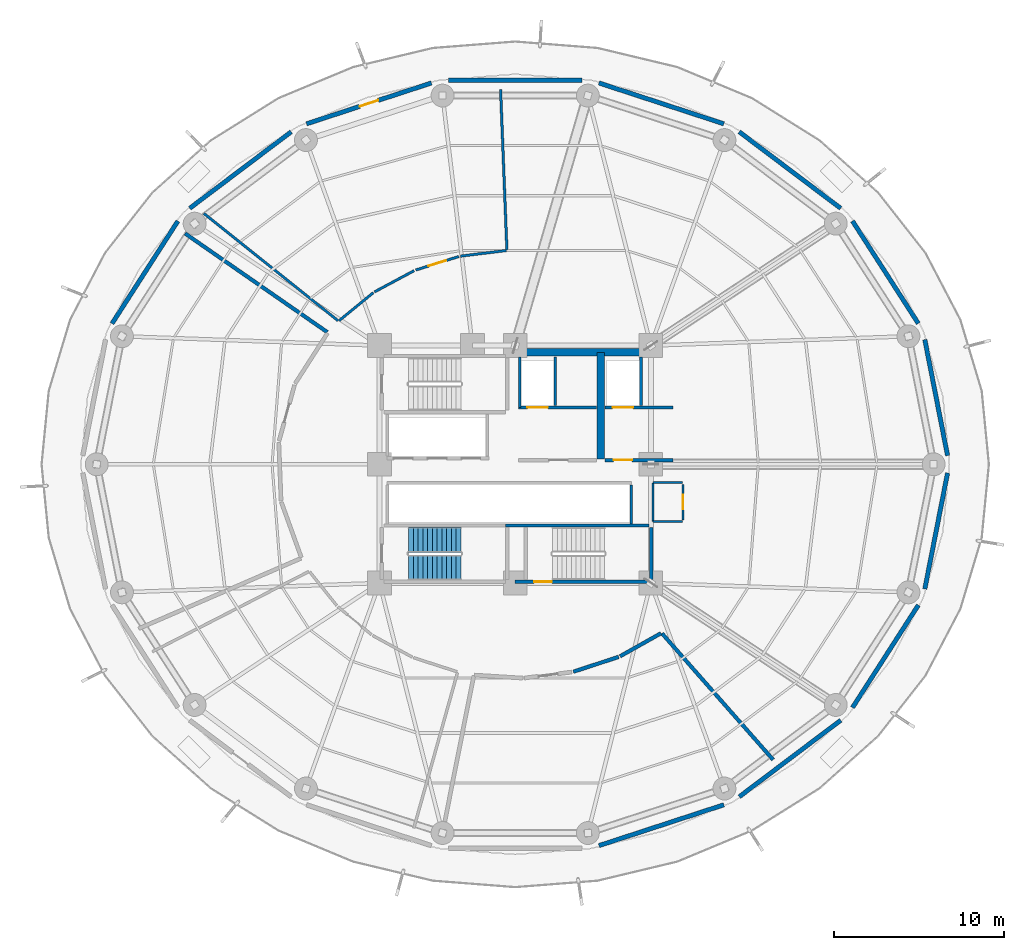
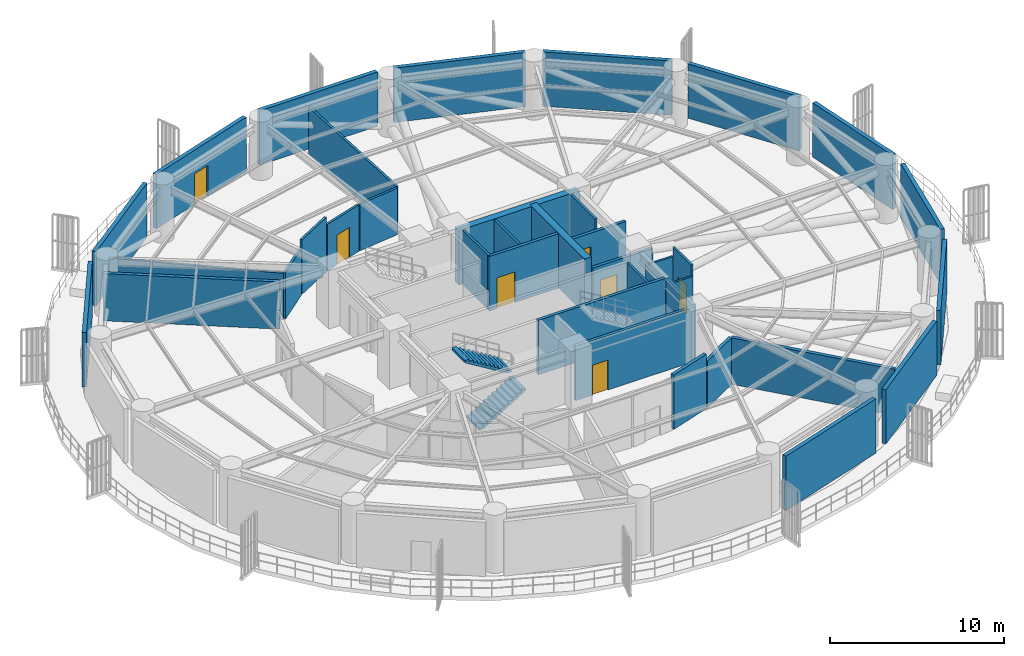
# One storey, part 5 of 10: 38 walls, 7 doors, 2 stair flights, 7 openings, 1 element without a shape of its own.
"""IFC4 building model written with IfcOpenShell, lengths in metres."""

from ifc_helpers import new_model, si_unit, direction, frame, frame_2d, origin, place, context, subcontext, project, spatial, polyline, rectangle, outline, extrude, material, layer, layer_set, type_object, element, fill, aggregate, save


model = new_model("IFC4")

# Units and contexts
model_context = context("Model", 3, precision=1e-05, world=origin(), true_north=direction((0.0, 1.0)))
body_context = subcontext(model_context, "Body", "Model", "MODEL_VIEW")
ifc_project = project(units=[si_unit("LENGTHUNIT", "METRE"), si_unit("AREAUNIT", "SQUARE_METRE"), si_unit("VOLUMEUNIT", "CUBIC_METRE"), si_unit("PLANEANGLEUNIT", "RADIAN"), si_unit("MASSUNIT", "GRAM", prefix="KILO")], contexts=[model_context])

# Site, building, storey
site_placement = place(None, origin())
site = spatial("IfcSite", under=ifc_project, at=site_placement, CompositionType="ELEMENT")
building_placement = place(site_placement, origin())
building = spatial("IfcBuilding", under=site, at=building_placement, Name="Kelanora Arch Commons", CompositionType="ELEMENT")
storey_placement = place(building_placement, frame((0.0, 0.0, 72.260009765625)))
storey = spatial("IfcBuildingStorey", under=building, at=storey_placement, Name="L18", CompositionType="ELEMENT", Elevation=72.260009765625)

# Walls
ifc_material_1 = material(Name="Autoclaved aerated concrete blockwork with fire plaster", Category="masonry")
ifc_layer_1 = layer(ifc_material_1, 0.14990234375)
ifc_layer_set_1 = layer_set([ifc_layer_1], Name="Autoclaved aerated concrete blockwork with fire plaster")
wall_type_1 = type_object("IfcWallType", Name="W-COMP-150", PredefinedType="PARTITIONING", material=ifc_layer_set_1)
wall_1_placement = place(storey_placement, frame((74.280029296875, 61.35009765625, 0.0), z_axis=(0.0, 0.0, 1.0), x_axis=(0.0, 1.0, 0.0)))
element("IfcWall", 1, at=wall_1_placement, inside=storey, type_object=wall_type_1, Name="Firefighting Lift 1 West Shaft Wall L18", PredefinedType="PARTITIONING", context=body_context, shape_type="SweptSolid", body=[
    extrude(rectangle(XDim=2.969970703125, YDim=0.14990234375, at=frame_2d((1.48486328125, 0.0))), origin(), (0.0, 0.0, 1.0), 3.820068359375),
])
for number, where, z_axis, x_axis, name in (
    (2, (76.360107421875, 61.47998046875, 0.0), (0.0, 0.0, 1.0), (0.0, 1.0, 0.0), "Firefighting Lift 1 East Shaft Wall L18"),
    (3, (81.419921875, 61.47998046875, 0.0), (0.0, 0.0, 1.0), (0.0, 1.0, 0.0), "Firefighting Lift 2 East Shaft Wall L18"),
):
    element("IfcWall", number, at=place(storey_placement, frame(where, z_axis=z_axis, x_axis=x_axis)), inside=storey, type_object=wall_type_1, Name=name, PredefinedType="PARTITIONING", context=body_context, shape_type="SweptSolid", body=[
        extrude(rectangle(XDim=2.840087890625, YDim=0.14990234375, at=frame_2d((1.419921875, 0.0))), origin(), (0.0, 0.0, 1.0), 3.820068359375),
    ])
wall_2_placement = place(storey_placement, frame((80.840087890625, 54.47998046875, 0.0), z_axis=(0.0, 0.0, 1.0), x_axis=(0.0, 1.0, 0.0)))
element("IfcWall", 4, at=wall_2_placement, inside=storey, type_object=wall_type_1, Name="South Lift Bank East Wall L18", PredefinedType="PARTITIONING", context=body_context, shape_type="SweptSolid", body=[
    extrude(rectangle(XDim=2.2900390625, YDim=0.14990234375, at=frame_2d((1.14501953125, 0.0))), origin(), (0.0, 0.0, 1.0), 3.820068359375),
])

# Wall, opening, door
wall_3_placement = place(storey_placement, frame((70.669921875, 70.2529296875, 0.0), z_axis=(0.0, 0.0, 1.0), x_axis=(-0.954072441826, -0.299575993278, 0.0)))
wall_3 = element("IfcWall", 5, at=wall_3_placement, inside=storey, type_object=wall_type_1, Name="Dedicated Outdoor Air and Enthalpy Wheel Plant L18 Entry Partition", PredefinedType="PARTITIONING", context=body_context, shape_type="SweptSolid", body=[
    extrude(rectangle(XDim=2.659912109375, YDim=0.14990234375, at=frame_2d((1.330078125, 0.0))), origin(), (0.0, 0.0, 1.0), 3.264892578125),
])
opening_1_placement = place(wall_3_placement, frame((0.7900390625, 0.0, 0.0)))
opening_1 = element("IfcOpeningElement", 6, at=opening_1_placement, cuts=wall_3, Name="Opening D-PLT1", PredefinedType="OPENING", context=body_context, shape_type="SweptSolid", body=[
    extrude(rectangle(XDim=1.080078125, YDim=2.10009765625, at=frame_2d((0.5400390625, 1.050048828125))), frame((0.0, 0.0849609375, 0.0), z_axis=(0.0, -1.0, 0.0), x_axis=(1.0, 0.0, 0.0)), (0.0, 0.0, 1.0), 0.169921875),
])
ifc_material_2 = material(Name="Galvanised steel plant and riser fire door", Category="steel")
door_type_1 = type_object("IfcDoorType", Name="D-PLT-110", OperationType="NOTDEFINED", PredefinedType="DOOR", material=ifc_material_2)
door_1_placement = place(opening_1_placement, origin())
door_1 = element("IfcDoor", 7, at=door_1_placement, inside=storey, type_object=door_type_1, Name="Dedicated Outdoor Air and Enthalpy Wheel Plant L18 Door", OperationType="SINGLE_SWING_RIGHT", OverallHeight=2.10009765625, OverallWidth=1.080078125, PredefinedType="DOOR", context=body_context, shape_type="SweptSolid", body=[
    extrude(rectangle(XDim=1.080078125, YDim=2.10009765625, at=frame_2d((0.5400390625, 1.050048828125))), frame((0.0, 0.02490234375, 0.0), z_axis=(0.0, -1.0, 0.0), x_axis=(1.0, 0.0, 0.0)), (0.0, 0.0, 1.0), 0.050048828125),
])
fill(opening_1, door_1)

# Walls
wall_4_placement = place(storey_placement, frame((73.47119140625, 70.607177734375, 0.0), z_axis=(0.0, 0.0, 1.0), x_axis=(-0.99258087274, -0.12158622895, 0.0)))
element("IfcWall", 8, at=wall_4_placement, inside=storey, type_object=wall_type_1, Name="Dedicated Outdoor Air and Enthalpy Wheel Plant L18 Enclosure Partition 1", PredefinedType="PARTITIONING", context=body_context, shape_type="SweptSolid", body=[
    extrude(rectangle(XDim=2.724853515625, YDim=0.14990234375, at=frame_2d((1.3623046875, 0.0))), origin(), (0.0, 0.0, 1.0), 3.264892578125),
])
wall_5_placement = place(storey_placement, frame((68.039794921875, 69.419189453125, 0.0), z_axis=(0.0, 0.0, 1.0), x_axis=(-0.881492256426, -0.47219847719, 0.0)))
element("IfcWall", 9, at=wall_5_placement, inside=storey, type_object=wall_type_1, Name="Dedicated Outdoor Air and Enthalpy Wheel Plant L18 Enclosure Partition 3", PredefinedType="PARTITIONING", context=body_context, shape_type="SweptSolid", body=[
    extrude(rectangle(XDim=2.658447265625, YDim=0.14990234375, at=frame_2d((1.3291015625, 0.0))), origin(), (0.0, 0.0, 1.0), 3.820068359375),
])
wall_6_placement = place(storey_placement, frame((65.6298828125, 68.11962890625, 0.0), z_axis=(0.0, 0.0, 1.0), x_axis=(-0.774061607798, -0.633110280546, 0.0)))
element("IfcWall", 10, at=wall_6_placement, inside=storey, type_object=wall_type_1, Name="Dedicated Outdoor Air and Enthalpy Wheel Plant L18 Enclosure Partition 4", PredefinedType="PARTITIONING", context=body_context, shape_type="SweptSolid", body=[
    extrude(rectangle(XDim=2.606689453125, YDim=0.14990234375, at=frame_2d((1.30322265625, 0.0))), origin(), (0.0, 0.0, 1.0), 3.264892578125),
])
wall_7_placement = place(storey_placement, frame((63.5498046875, 66.468994140625, 0.0), z_axis=(0.0, 0.0, 1.0), x_axis=(-0.780984005832, 0.624551024845, 0.0)))
element("IfcWall", 11, at=wall_7_placement, inside=storey, type_object=wall_type_1, Name="Dedicated Outdoor Air and Enthalpy Wheel Plant L18 Enclosure Partition 5", PredefinedType="PARTITIONING", context=body_context, shape_type="SweptSolid", body=[
    extrude(rectangle(XDim=10.13037109375, YDim=0.14990234375, at=frame_2d((5.065185546875, 0.0))), origin(), (0.0, 0.0, 1.0), 3.264892578125),
])
wall_8_placement = place(storey_placement, frame((73.1376953125, 80.096923828125, 0.0), z_axis=(0.0, 0.0, 1.0), x_axis=(0.039337774714, -0.999225970179, 0.0)))
element("IfcWall", 12, at=wall_8_placement, inside=storey, type_object=wall_type_1, Name="Dedicated Outdoor Air and Enthalpy Wheel Plant L18 Enclosure Partition 10", PredefinedType="PARTITIONING", context=body_context, shape_type="SweptSolid", body=[
    extrude(rectangle(XDim=9.4521484375, YDim=0.14990234375, at=frame_2d((4.72607421875, 0.0))), origin(), (0.0, 0.0, 1.0), 3.31494140625),
])
ifc_material_3 = material(Name="Concrete C60/75", Category="concrete")
ifc_layer_2 = layer(ifc_material_3, 0.449951171875)
ifc_layer_set_2 = layer_set([ifc_layer_2], Name="Concrete C60/75")
wall_type_2 = type_object("IfcWallType", Name="W-CORE-450", PredefinedType="SHEAR", material=ifc_layer_set_2)
wall_9_placement = place(storey_placement, frame((74.0, 64.60009765625, 0.0), z_axis=(0.0, 0.0, 1.0), x_axis=(1.0, 0.0, 0.0)))
element("IfcWall", 13, at=wall_9_placement, inside=storey, type_object=wall_type_2, Name="Core Shear Spine L18-CN-E", PredefinedType="SHEAR", context=body_context, shape_type="SweptSolid", body=[
    extrude(rectangle(XDim=8.0, YDim=0.449951171875, at=frame_2d((4.0, 0.0))), origin(), (0.0, 0.0, 1.0), 3.830078125),
])
wall_10_placement = place(storey_placement, frame((79.050048828125, 58.300048828125, 0.0), z_axis=(0.0, 0.0, 1.0), x_axis=(0.0, 1.0, 0.0)))
element("IfcWall", 14, at=wall_10_placement, inside=storey, type_object=wall_type_2, Name="Core Shear Spine L18-CE-N", PredefinedType="SHEAR", context=body_context, shape_type="SweptSolid", body=[
    extrude(rectangle(XDim=6.300048828125, YDim=0.449951171875, at=frame_2d((3.14990234375, 0.0))), origin(), (0.0, 0.0, 1.0), 3.830078125),
])
ifc_material_4 = material(Name="Precast concrete C40/50 with terracotta rainscreen", Category="masonry")
ifc_layer_3 = layer(ifc_material_4, 0.260009765625)
ifc_layer_set_3 = layer_set([ifc_layer_3], Name="Precast concrete C40/50 with terracotta rainscreen")
wall_type_3 = type_object("IfcWallType", Name="W-EXT-TC", PredefinedType="SOLIDWALL", material=ifc_layer_set_3)
wall_11_placement = place(storey_placement, frame((99.5, 58.51025390625, 0.0), z_axis=(0.0, 0.0, 1.0), x_axis=(-0.192608720108, 0.981275639634, 0.0)))
element("IfcWall", 15, at=wall_11_placement, inside=storey, type_object=wall_type_3, Name="Mechanical Louvre Precast Backing Wall L18-01", PredefinedType="SOLIDWALL", context=body_context, shape_type="SweptSolid", body=[
    extrude(rectangle(XDim=6.9765625, YDim=0.260009765625, at=frame_2d((3.48828125, 0.0))), origin(), (0.0, 0.0, 1.0), 3.81494140625),
])
wall_12_placement = place(storey_placement, frame((97.77490234375, 66.303955078125, 0.0), z_axis=(0.0, 0.0, 1.0), x_axis=(-0.540604690505, 0.841276749116, 0.0)))
element("IfcWall", 16, at=wall_12_placement, inside=storey, type_object=wall_type_3, Name="Mechanical Louvre Precast Backing Wall L18-02", PredefinedType="SOLIDWALL", context=body_context, shape_type="SweptSolid", body=[
    extrude(rectangle(XDim=7.182861328125, YDim=0.260009765625, at=frame_2d((3.59130859375, 0.0))), origin(), (0.0, 0.0, 1.0), 3.81494140625),
])
wall_13_placement = place(storey_placement, frame((93.195556640625, 73.09716796875, 0.0), z_axis=(0.0, 0.0, 1.0), x_axis=(-0.798511093866, 0.601980093502, 0.0)))
element("IfcWall", 17, at=wall_13_placement, inside=storey, type_object=wall_type_3, Name="Mechanical Louvre Precast Backing Wall L18-03", PredefinedType="SOLIDWALL", context=body_context, shape_type="SweptSolid", body=[
    extrude(rectangle(XDim=7.489501953125, YDim=0.260009765625, at=frame_2d((3.74462890625, 0.0))), origin(), (0.0, 0.0, 1.0), 3.81494140625),
])
wall_14_placement = place(storey_placement, frame((86.305908203125, 78.080078125, 0.0), z_axis=(0.0, 0.0, 1.0), x_axis=(-0.950466692879, 0.310826423792, 0.0)))
element("IfcWall", 18, at=wall_14_placement, inside=storey, type_object=wall_type_3, Name="Mechanical Louvre Precast Backing Wall L18-04", PredefinedType="SOLIDWALL", context=body_context, shape_type="SweptSolid", body=[
    extrude(rectangle(XDim=7.75, YDim=0.260009765625, at=frame_2d((3.875, 0.0))), origin(), (0.0, 0.0, 1.0), 3.81494140625),
])
wall_15_placement = place(storey_placement, frame((77.92529296875, 80.650634765625, 0.0), z_axis=(0.0, 0.0, 1.0), x_axis=(-1.0, 0.0, 0.0)))
element("IfcWall", 19, at=wall_15_placement, inside=storey, type_object=wall_type_3, Name="Mechanical Louvre Precast Backing Wall L18-05", PredefinedType="SOLIDWALL", context=body_context, shape_type="SweptSolid", body=[
    extrude(rectangle(XDim=7.8505859375, YDim=0.260009765625, at=frame_2d((3.92529296875, 0.0))), origin(), (0.0, 0.0, 1.0), 3.81494140625),
])

# Wall, opening, door
wall_16_placement = place(storey_placement, frame((69.060302734375, 80.489013671875, 0.0), z_axis=(0.0, 0.0, 1.0), x_axis=(-0.950466692879, -0.310826423792, 0.0)))
wall_16 = element("IfcWall", 20, at=wall_16_placement, inside=storey, type_object=wall_type_3, Name="Mechanical Louvre Precast Backing Wall L18-06", PredefinedType="SOLIDWALL", context=body_context, shape_type="SweptSolid", body=[
    extrude(rectangle(XDim=7.75, YDim=0.260009765625, at=frame_2d((3.875, 0.0))), origin(), (0.0, 0.0, 1.0), 3.81494140625),
])
opening_2_placement = place(wall_16_placement, frame((3.300048828125, 0.0, 0.0)))
opening_2 = element("IfcOpeningElement", 21, at=opening_2_placement, cuts=wall_16, Name="Opening DT-01", PredefinedType="OPENING", context=body_context, shape_type="SweptSolid", body=[
    extrude(rectangle(XDim=1.14990234375, YDim=2.14990234375, at=frame_2d((0.574951171875, 1.074951171875))), frame((0.0, 0.14013671875, 0.0), z_axis=(0.0, -1.0, 0.0), x_axis=(1.0, 0.0, 0.0)), (0.0, 0.0, 1.0), 0.280029296875),
])
ifc_material_5 = material(Name="Weather-sealed aluminium terrace door", Category="aluminium")
door_type_2 = type_object("IfcDoorType", Name="D-TERR-12", OperationType="NOTDEFINED", PredefinedType="DOOR", material=ifc_material_5)
door_2_placement = place(opening_2_placement, frame((1.14990234375, 0.0, 0.0), z_axis=(0.0, 0.0, 1.0), x_axis=(-1.0, 0.0, 0.0)))
door_2 = element("IfcDoor", 22, at=door_2_placement, inside=storey, type_object=door_type_2, Name="Setback Terrace Maintenance Door L18-05", OperationType="SINGLE_SWING_LEFT", OverallHeight=2.14990234375, OverallWidth=1.14990234375, PredefinedType="DOOR", context=body_context, shape_type="SweptSolid", body=[
    extrude(rectangle(XDim=1.14990234375, YDim=2.14990234375, at=frame_2d((0.574951171875, 1.074951171875))), frame((0.0, 0.02490234375, 0.0), z_axis=(0.0, -1.0, 0.0), x_axis=(1.0, 0.0, 0.0)), (0.0, 0.0, 1.0), 0.050048828125),
])
fill(opening_2, door_2)

# Walls
wall_17_placement = place(storey_placement, frame((60.784912109375, 77.605712890625, 0.0), z_axis=(0.0, 0.0, 1.0), x_axis=(-0.798511093866, -0.601980093502, 0.0)))
element("IfcWall", 23, at=wall_17_placement, inside=storey, type_object=wall_type_3, Name="Mechanical Louvre Precast Backing Wall L18-07", PredefinedType="SOLIDWALL", context=body_context, shape_type="SweptSolid", body=[
    extrude(rectangle(XDim=7.489501953125, YDim=0.260009765625, at=frame_2d((3.74462890625, 0.0))), origin(), (0.0, 0.0, 1.0), 3.81494140625),
])
wall_18_placement = place(storey_placement, frame((54.108154296875, 72.3466796875, 0.0), z_axis=(0.0, 0.0, 1.0), x_axis=(-0.540604690505, -0.841276749116, 0.0)))
element("IfcWall", 24, at=wall_18_placement, inside=storey, type_object=wall_type_3, Name="Mechanical Louvre Precast Backing Wall L18-08", PredefinedType="SOLIDWALL", context=body_context, shape_type="SweptSolid", body=[
    extrude(rectangle(XDim=7.182861328125, YDim=0.260009765625, at=frame_2d((3.59130859375, 0.0))), origin(), (0.0, 0.0, 1.0), 3.81494140625),
])
wall_19_placement = place(storey_placement, frame((78.939697265625, 35.510986328125, 0.0), z_axis=(0.0, 0.0, 1.0), x_axis=(0.950466692879, 0.310826423792, 0.0)))
element("IfcWall", 25, at=wall_19_placement, inside=storey, type_object=wall_type_3, Name="Mechanical Louvre Precast Backing Wall L18-15", PredefinedType="SOLIDWALL", context=body_context, shape_type="SweptSolid", body=[
    extrude(rectangle(XDim=7.75, YDim=0.260009765625, at=frame_2d((3.875, 0.0))), origin(), (0.0, 0.0, 1.0), 3.81494140625),
])
wall_20_placement = place(storey_placement, frame((87.215087890625, 38.394287109375, 0.0), z_axis=(0.0, 0.0, 1.0), x_axis=(0.798511093866, 0.601980093502, 0.0)))
element("IfcWall", 26, at=wall_20_placement, inside=storey, type_object=wall_type_3, Name="Mechanical Louvre Precast Backing Wall L18-16", PredefinedType="SOLIDWALL", context=body_context, shape_type="SweptSolid", body=[
    extrude(rectangle(XDim=7.489501953125, YDim=0.260009765625, at=frame_2d((3.74462890625, 0.0))), origin(), (0.0, 0.0, 1.0), 3.81494140625),
])
wall_21_placement = place(storey_placement, frame((93.891845703125, 43.6533203125, 0.0), z_axis=(0.0, 0.0, 1.0), x_axis=(0.540604690505, 0.841276749116, 0.0)))
element("IfcWall", 27, at=wall_21_placement, inside=storey, type_object=wall_type_3, Name="Mechanical Louvre Precast Backing Wall L18-17", PredefinedType="SOLIDWALL", context=body_context, shape_type="SweptSolid", body=[
    extrude(rectangle(XDim=7.182861328125, YDim=0.260009765625, at=frame_2d((3.59130859375, 0.0))), origin(), (0.0, 0.0, 1.0), 3.81494140625),
])
wall_22_placement = place(storey_placement, frame((98.15625, 50.643798828125, 0.0), z_axis=(0.0, 0.0, 1.0), x_axis=(0.192608720108, 0.981275639634, 0.0)))
element("IfcWall", 28, at=wall_22_placement, inside=storey, type_object=wall_type_3, Name="Mechanical Louvre Precast Backing Wall L18-18", PredefinedType="SOLIDWALL", context=body_context, shape_type="SweptSolid", body=[
    extrude(rectangle(XDim=6.9765625, YDim=0.260009765625, at=frame_2d((3.48828125, 0.0))), origin(), (0.0, 0.0, 1.0), 3.81494140625),
])

# Wall, opening, door
ifc_material_6 = material(Name="Concrete C40/50", Category="concrete")
ifc_layer_4 = layer(ifc_material_6, 0.199951171875)
ifc_layer_set_4 = layer_set([ifc_layer_4], Name="Concrete C40/50")
wall_type_4 = type_object("IfcWallType", Name="W-FFL-200", PredefinedType="SOLIDWALL", material=ifc_layer_set_4)
wall_23_placement = place(storey_placement, frame((74.199951171875, 61.35009765625, 0.0), z_axis=(0.0, 0.0, 1.0), x_axis=(1.0, 0.0, 0.0)))
wall_23 = element("IfcWall", 29, at=wall_23_placement, inside=storey, type_object=wall_type_4, Name="Firefighting Lift 1 Shaft Front L18", PredefinedType="SOLIDWALL", context=body_context, shape_type="SweptSolid", body=[
    extrude(rectangle(XDim=4.60009765625, YDim=0.199951171875, at=frame_2d((2.300048828125, 0.0))), origin(), (0.0, 0.0, 1.0), 3.820068359375),
])
opening_3_placement = place(wall_23_placement, frame((0.52001953125, 0.0, 0.0)))
opening_3 = element("IfcOpeningElement", 30, at=opening_3_placement, cuts=wall_23, Name="Opening LD-FF", PredefinedType="OPENING", context=body_context, shape_type="SweptSolid", body=[
    extrude(rectangle(XDim=1.199951171875, YDim=2.14990234375, at=frame_2d((0.60009765625, 1.074951171875))), frame((0.0, 0.10986328125, 0.0), z_axis=(0.0, -1.0, 0.0), x_axis=(1.0, 0.0, 0.0)), (0.0, 0.0, 1.0), 0.219970703125),
])
ifc_material_7 = material(Name="Fire-rated firefighters lift sliding landing door")
door_type_3 = type_object("IfcDoorType", Name="D-LIFT-FF", OperationType="NOTDEFINED", PredefinedType="DOOR", material=ifc_material_7)
door_3_placement = place(opening_3_placement, origin())
door_3 = element("IfcDoor", 31, at=door_3_placement, inside=storey, type_object=door_type_3, Name="Firefighting Lift LF-FF1 Landing Door L18", OperationType="DOUBLE_DOOR_SLIDING", OverallHeight=2.14990234375, OverallWidth=1.199951171875, PredefinedType="DOOR", context=body_context, shape_type="SweptSolid", body=[
    extrude(rectangle(XDim=1.199951171875, YDim=2.14990234375, at=frame_2d((0.60009765625, 1.074951171875))), frame((0.0, 0.02490234375, 0.0), z_axis=(0.0, -1.0, 0.0), x_axis=(1.0, 0.0, 0.0)), (0.0, 0.0, 1.0), 0.050048828125),
])
fill(opening_3, door_3)

wall_24_placement = place(storey_placement, frame((79.300048828125, 61.35009765625, 0.0), z_axis=(0.0, 0.0, 1.0), x_axis=(1.0, 0.0, 0.0)))
wall_24 = element("IfcWall", 32, at=wall_24_placement, inside=storey, type_object=wall_type_4, Name="Firefighting Lift 2 Shaft Front L18", PredefinedType="SOLIDWALL", context=body_context, shape_type="SweptSolid", body=[
    extrude(rectangle(XDim=4.0, YDim=0.199951171875, at=frame_2d((2.0, 0.0))), origin(), (0.0, 0.0, 1.0), 3.114990234375),
])
opening_4_placement = place(wall_24_placement, frame((0.449951171875, 0.0, 0.0)))
opening_4 = element("IfcOpeningElement", 33, at=opening_4_placement, cuts=wall_24, Name="Opening LD-FF", PredefinedType="OPENING", context=body_context, shape_type="SweptSolid", body=[
    extrude(rectangle(XDim=1.199951171875, YDim=2.14990234375, at=frame_2d((0.60009765625, 1.074951171875))), frame((0.0, 0.10986328125, 0.0), z_axis=(0.0, -1.0, 0.0), x_axis=(1.0, 0.0, 0.0)), (0.0, 0.0, 1.0), 0.219970703125),
])
door_4_placement = place(opening_4_placement, origin())
door_4 = element("IfcDoor", 34, at=door_4_placement, inside=storey, type_object=door_type_3, Name="Firefighting Lift LF-FF2 Landing Door L18", OperationType="DOUBLE_DOOR_SLIDING", OverallHeight=2.14990234375, OverallWidth=1.199951171875, PredefinedType="DOOR", context=body_context, shape_type="SweptSolid", body=[
    extrude(rectangle(XDim=1.199951171875, YDim=2.14990234375, at=frame_2d((0.60009765625, 1.074951171875))), frame((0.0, 0.02490234375, 0.0), z_axis=(0.0, -1.0, 0.0), x_axis=(1.0, 0.0, 0.0)), (0.0, 0.0, 1.0), 0.050048828125),
])
fill(opening_4, door_4)

wall_25_placement = place(storey_placement, frame((79.300048828125, 58.25, 0.0), z_axis=(0.0, 0.0, 1.0), x_axis=(1.0, 0.0, 0.0)))
wall_25 = element("IfcWall", 35, at=wall_25_placement, inside=storey, type_object=wall_type_4, Name="Firefighting Lobby 2 Enclosure Wall L18", PredefinedType="SOLIDWALL", context=body_context, shape_type="SweptSolid", body=[
    extrude(rectangle(XDim=4.0, YDim=0.199951171875, at=frame_2d((2.0, 0.0))), origin(), (0.0, 0.0, 1.0), 3.114990234375),
])
opening_5_placement = place(wall_25_placement, frame((0.5, 0.0, 0.0)))
opening_5 = element("IfcOpeningElement", 36, at=opening_5_placement, cuts=wall_25, Name="Opening D-FFL1", PredefinedType="OPENING", context=body_context, shape_type="SweptSolid", body=[
    extrude(rectangle(XDim=1.10009765625, YDim=2.10009765625, at=frame_2d((0.550048828125, 1.050048828125))), frame((0.0, 0.10986328125, 0.0), z_axis=(0.0, -1.0, 0.0), x_axis=(1.0, 0.0, 0.0)), (0.0, 0.0, 1.0), 0.219970703125),
])
ifc_material_8 = material(Name="Smoke-sealed firefighting lobby fire door")
door_type_4 = type_object("IfcDoorType", Name="D-FFL-110", OperationType="NOTDEFINED", PredefinedType="DOOR", material=ifc_material_8)
door_5_placement = place(opening_5_placement, frame((1.10009765625, 0.0, 0.0), z_axis=(0.0, 0.0, 1.0), x_axis=(-1.0, 0.0, 0.0)))
door_5 = element("IfcDoor", 37, at=door_5_placement, inside=storey, type_object=door_type_4, Name="Firefighting Lobby 2 Door L18", OperationType="SINGLE_SWING_RIGHT", OverallHeight=2.10009765625, OverallWidth=1.10009765625, PredefinedType="DOOR", context=body_context, shape_type="SweptSolid", body=[
    extrude(rectangle(XDim=1.10009765625, YDim=2.10009765625, at=frame_2d((0.550048828125, 1.050048828125))), frame((0.0, 0.02490234375, 0.0), z_axis=(0.0, -1.0, 0.0), x_axis=(1.0, 0.0, 0.0)), (0.0, 0.0, 1.0), 0.050048828125),
])
fill(opening_5, door_5)

# Walls
ifc_layer_5 = layer(ifc_material_6, 0.219970703125)
ifc_layer_set_5 = layer_set([ifc_layer_5], Name="Concrete C40/50")
wall_type_5 = type_object("IfcWallType", Name="W-REF-200", PredefinedType="SOLIDWALL", material=ifc_layer_set_5)
wall_26_placement = place(storey_placement, frame((54.52978515625, 71.6142578125, 0.0), z_axis=(0.0, 0.0, 1.0), x_axis=(0.821573715698, -0.570102297553, 0.0)))
element("IfcWall", 38, at=wall_26_placement, inside=storey, type_object=wall_type_5, Name="Protected Fire Refuge Holding Area L18-West Enclosure Partition 10", PredefinedType="SOLIDWALL", context=body_context, shape_type="SweptSolid", body=[
    extrude(rectangle(XDim=10.21142578125, YDim=0.219970703125, at=frame_2d((5.105712890625, 0.0))), origin(), (0.0, 0.0, 1.0), 3.31494140625),
])
wall_27_placement = place(storey_placement, frame((77.429931640625, 45.767578125, 0.0), z_axis=(0.0, 0.0, 1.0), x_axis=(0.950342166159, 0.311206952397, 0.0)))
element("IfcWall", 39, at=wall_27_placement, inside=storey, type_object=wall_type_5, Name="Protected Fire Refuge Holding Area L18-South Enclosure Partition 3", PredefinedType="SOLIDWALL", context=body_context, shape_type="SweptSolid", body=[
    extrude(rectangle(XDim=2.81787109375, YDim=0.219970703125, at=frame_2d((1.408935546875, 0.0))), origin(), (0.0, 0.0, 1.0), 3.820068359375),
])
wall_28_placement = place(storey_placement, frame((80.180908203125, 46.676513671875, 0.0), z_axis=(0.0, 0.0, 1.0), x_axis=(0.87161551792, 0.49019015588, 0.0)))
element("IfcWall", 40, at=wall_28_placement, inside=storey, type_object=wall_type_5, Name="Protected Fire Refuge Holding Area L18-South Enclosure Partition 4", PredefinedType="SOLIDWALL", context=body_context, shape_type="SweptSolid", body=[
    extrude(rectangle(XDim=2.772216796875, YDim=0.219970703125, at=frame_2d((1.38623046875, 0.0))), origin(), (0.0, 0.0, 1.0), 3.264892578125),
])
wall_29_placement = place(storey_placement, frame((82.658447265625, 48.02490234375, 0.0), z_axis=(0.0, 0.0, 1.0), x_axis=(0.660521380373, -0.750807236293, 0.0)))
element("IfcWall", 41, at=wall_29_placement, inside=storey, type_object=wall_type_5, Name="Protected Fire Refuge Holding Area L18-South Enclosure Partition 5", PredefinedType="SOLIDWALL", context=body_context, shape_type="SweptSolid", body=[
    extrude(rectangle(XDim=9.92138671875, YDim=0.219970703125, at=frame_2d((4.960693359375, 0.0))), origin(), (0.0, 0.0, 1.0), 3.264892578125),
])

# Wall, opening, door
ifc_layer_6 = layer(ifc_material_6, 0.199951171875)
ifc_layer_set_6 = layer_set([ifc_layer_6], Name="Concrete C40/50")
wall_type_6 = type_object("IfcWallType", Name="W-STAIR-200", PredefinedType="SHEAR", material=ifc_layer_set_6)
wall_30_placement = place(storey_placement, frame((74.0, 51.080078125, 0.0), z_axis=(0.0, 0.0, 1.0), x_axis=(1.0, 0.0, 0.0)))
wall_30 = element("IfcWall", 42, at=wall_30_placement, inside=storey, type_object=wall_type_6, Name="Stair ST-T2 Shaft Wall S L18", PredefinedType="SHEAR", context=body_context, shape_type="SweptSolid", body=[
    extrude(rectangle(XDim=7.89990234375, YDim=0.199951171875, at=frame_2d((3.949951171875, 0.0))), origin(), (0.0, 0.0, 1.0), 3.830078125),
])
opening_6_placement = place(wall_30_placement, frame((1.1201171875, 0.0, 0.0)))
opening_6 = element("IfcOpeningElement", 43, at=opening_6_placement, cuts=wall_30, Name="Opening D-ST1", PredefinedType="OPENING", context=body_context, shape_type="SweptSolid", body=[
    extrude(rectangle(XDim=1.050048828125, YDim=2.10009765625, at=frame_2d((0.52490234375, 1.050048828125))), frame((0.0, 0.10986328125, 0.0), z_axis=(0.0, -1.0, 0.0), x_axis=(1.0, 0.0, 0.0)), (0.0, 0.0, 1.0), 0.219970703125),
])
ifc_material_9 = material(Name="Steel fire-rated stairwell escape door", Category="steel")
door_type_5 = type_object("IfcDoorType", Name="D-STAIR-110", OperationType="NOTDEFINED", PredefinedType="DOOR", material=ifc_material_9)
door_6_placement = place(opening_6_placement, origin())
door_6 = element("IfcDoor", 44, at=door_6_placement, inside=storey, type_object=door_type_5, Name="Stair ST-T2 Escape Door L18", OperationType="SINGLE_SWING_LEFT", OverallHeight=2.10009765625, OverallWidth=1.050048828125, PredefinedType="DOOR", context=body_context, shape_type="SweptSolid", body=[
    extrude(rectangle(XDim=1.050048828125, YDim=2.10009765625, at=frame_2d((0.52490234375, 1.050048828125))), frame((0.0, 0.02490234375, 0.0), z_axis=(0.0, -1.0, 0.0), x_axis=(1.0, 0.0, 0.0)), (0.0, 0.0, 1.0), 0.050048828125),
])
fill(opening_6, door_6)

# Walls
wall_31_placement = place(storey_placement, frame((82.02001953125, 51.199951171875, 0.0), z_axis=(0.0, 0.0, 1.0), x_axis=(0.0, 1.0, 0.0)))
element("IfcWall", 45, at=wall_31_placement, inside=storey, type_object=wall_type_6, Name="Stair ST-T2 Shaft Wall E L18", PredefinedType="SHEAR", context=body_context, shape_type="SweptSolid", body=[
    extrude(rectangle(XDim=3.070068359375, YDim=0.199951171875, at=frame_2d((1.53515625, 0.0))), origin(), (0.0, 0.0, 1.0), 3.830078125),
])
wall_32_placement = place(storey_placement, frame((81.89990234375, 54.389892578125, 0.0), z_axis=(0.0, 0.0, 1.0), x_axis=(-1.0, 0.0, 0.0)))
element("IfcWall", 46, at=wall_32_placement, inside=storey, type_object=wall_type_6, Name="Stair ST-T2 Shaft Wall N L18", PredefinedType="SHEAR", context=body_context, shape_type="SweptSolid", body=[
    extrude(rectangle(XDim=8.4599609375, YDim=0.199951171875, at=frame_2d((4.22998046875, 0.0))), origin(), (0.0, 0.0, 1.0), 3.830078125),
])

# Wall, opening, door
ifc_material_10 = material(Name="Moisture-resistant fire-rated cement-board plumbing wall")
ifc_layer_7 = layer(ifc_material_10, 0.1298828125)
ifc_layer_set_7 = layer_set([ifc_layer_7], Name="Moisture-resistant fire-rated cement-board plumbing wall")
wall_type_7 = type_object("IfcWallType", Name="W-WET-120", PredefinedType="PLUMBINGWALL", material=ifc_layer_set_7)
wall_33_placement = place(storey_placement, frame((83.89990234375, 54.7099609375, 0.0), z_axis=(0.0, 0.0, 1.0), x_axis=(0.0, 1.0, 0.0)))
wall_33 = element("IfcWall", 47, at=wall_33_placement, inside=storey, type_object=wall_type_7, Name="Refuge Accessible First-Aid WC L18 Entry Partition", PredefinedType="PLUMBINGWALL", context=body_context, shape_type="SweptSolid", body=[
    extrude(rectangle(XDim=2.110107421875, YDim=0.1298828125, at=frame_2d((1.05517578125, 0.0))), origin(), (0.0, 0.0, 1.0), 3.820068359375),
])
opening_7_placement = place(wall_33_placement, frame((0.625, 0.0, 0.0)))
opening_7 = element("IfcOpeningElement", 48, at=opening_7_placement, cuts=wall_33, Name="Opening D-BT1", PredefinedType="OPENING", context=body_context, shape_type="SweptSolid", body=[
    extrude(rectangle(XDim=0.860107421875, YDim=2.050048828125, at=frame_2d((0.43017578125, 1.02490234375))), frame((0.0, 0.074951171875, 0.0), z_axis=(0.0, -1.0, 0.0), x_axis=(1.0, 0.0, 0.0)), (0.0, 0.0, 1.0), 0.14990234375),
])
ifc_material_11 = material(Name="Moisture-sealed fire-rated accessible bathroom door")
door_type_6 = type_object("IfcDoorType", Name="D-BATH-85", OperationType="NOTDEFINED", PredefinedType="DOOR", material=ifc_material_11)
door_7_placement = place(opening_7_placement, origin())
door_7 = element("IfcDoor", 49, at=door_7_placement, inside=storey, type_object=door_type_6, Name="Refuge Accessible First-Aid WC L18 Door", OperationType="SINGLE_SWING_RIGHT", OverallHeight=2.050048828125, OverallWidth=0.860107421875, PredefinedType="DOOR", context=body_context, shape_type="SweptSolid", body=[
    extrude(rectangle(XDim=0.860107421875, YDim=2.050048828125, at=frame_2d((0.43017578125, 1.02490234375))), frame((0.0, 0.02490234375, 0.0), z_axis=(0.0, -1.0, 0.0), x_axis=(1.0, 0.0, 0.0)), (0.0, 0.0, 1.0), 0.050048828125),
])
fill(opening_7, door_7)

# Walls
for number, where, z_axis, x_axis, name in (
    (50, (82.139892578125, 54.6201171875, 0.0), (0.0, 0.0, 1.0), (1.0, 0.0, 0.0), "Refuge Accessible First-Aid WC L18 Enclosure Partition 1"),
    (51, (83.8798828125, 56.919921875, 0.0), (0.0, 0.0, 1.0), (-1.0, 0.0, 0.0), "Refuge Accessible First-Aid WC L18 Enclosure Partition 3"),
):
    element("IfcWall", number, at=place(storey_placement, frame(where, z_axis=z_axis, x_axis=x_axis)), inside=storey, type_object=wall_type_7, Name=name, PredefinedType="PLUMBINGWALL", context=body_context, shape_type="SweptSolid", body=[
        extrude(rectangle(XDim=1.739990234375, YDim=0.1298828125, at=frame_2d((0.8701171875, 0.0))), origin(), (0.0, 0.0, 1.0), 3.114990234375),
    ])
wall_34_placement = place(storey_placement, frame((82.1201171875, 56.89990234375, 0.0), z_axis=(0.0, 0.0, 1.0), x_axis=(0.0, -1.0, 0.0)))
element("IfcWall", 52, at=wall_34_placement, inside=storey, type_object=wall_type_7, Name="Refuge Accessible First-Aid WC L18 Enclosure Partition 4", PredefinedType="PLUMBINGWALL", context=body_context, shape_type="SweptSolid", body=[
    extrude(rectangle(XDim=2.260009765625, YDim=0.1298828125, at=frame_2d((1.1298828125, 0.0))), origin(), (0.0, 0.0, 1.0), 3.114990234375),
])

# Stair, stair flights
stair_type = type_object("IfcStairType", Name="STR-DL-409", PredefinedType="HALF_TURN_STAIR", material=ifc_material_6)
stair_placement = place(storey_placement, origin())
stair = element("IfcStair", 53, at=stair_placement, inside=storey, type_object=stair_type, Name="L18 ST-T3", PredefinedType="HALF_TURN_STAIR")
stair_flight_type = type_object("IfcStairFlightType", Name="FLT-DL-409", PredefinedType="STRAIGHT", material=ifc_material_6)
stair_flight_1_placement = place(storey_placement, frame((67.719970703125, 51.919921875, 0.0), z_axis=(0.0, 0.0, 1.0), x_axis=(1.0, 0.0, 0.0)))
stair_flight_1 = element("IfcStairFlight", 54, at=stair_flight_1_placement, type_object=stair_flight_type, Name="ST-T3 flight 1", NumberOfRisers=12, NumberOfTreads=11, PredefinedType="STRAIGHT", RiserHeight=0.170416667, TreadLength=0.28, context=body_context, shape_type="SweptSolid", body=[
    extrude(outline(polyline([(0.0, 0.0), (0.0, 0.17041015625), (0.280029296875, 0.17041015625), (0.280029296875, 0.3408203125), (0.56005859375, 0.3408203125), (0.56005859375, 0.51123046875), (0.840087890625, 0.51123046875), (0.840087890625, 0.681640625), (1.1201171875, 0.681640625), (1.1201171875, 0.85205078125), (1.39990234375, 0.85205078125), (1.39990234375, 1.0224609375), (1.679931640625, 1.0224609375), (1.679931640625, 1.19287109375), (1.9599609375, 1.19287109375), (1.9599609375, 1.36328125), (2.239990234375, 1.36328125), (2.239990234375, 1.53369140625), (2.52001953125, 1.53369140625), (2.52001953125, 1.7041015625), (2.800048828125, 1.7041015625), (2.800048828125, 1.87451171875), (3.080078125, 1.87451171875), (3.080078125, 2.044921875), (3.080078125, 1.69921875), (0.288330078125, 0.0), (0.0, 0.0)])), frame((0.0, 0.739990234375, 0.0), z_axis=(0.0, -1.0, 0.0), x_axis=(1.0, 0.0, 0.0)), (0.0, 0.0, 1.0), 1.47998046875),
])
stair_flight_2_placement = place(storey_placement, frame((70.800048828125, 53.550048828125, 2.044921875), z_axis=(0.0, 0.0, 1.0), x_axis=(-1.0, 0.0, 0.0)))
stair_flight_2 = element("IfcStairFlight", 55, at=stair_flight_2_placement, type_object=stair_flight_type, Name="ST-T3 flight 2", NumberOfRisers=12, NumberOfTreads=11, PredefinedType="STRAIGHT", RiserHeight=0.170416667, TreadLength=0.28, context=body_context, shape_type="SweptSolid", body=[
    extrude(outline(polyline([(0.0, 0.0), (0.0, 0.17041015625), (0.280029296875, 0.17041015625), (0.280029296875, 0.3408203125), (0.56005859375, 0.3408203125), (0.56005859375, 0.51123046875), (0.840087890625, 0.51123046875), (0.840087890625, 0.681640625), (1.1201171875, 0.681640625), (1.1201171875, 0.85205078125), (1.39990234375, 0.85205078125), (1.39990234375, 1.0224609375), (1.679931640625, 1.0224609375), (1.679931640625, 1.19287109375), (1.9599609375, 1.19287109375), (1.9599609375, 1.36328125), (2.239990234375, 1.36328125), (2.239990234375, 1.53369140625), (2.52001953125, 1.53369140625), (2.52001953125, 1.7041015625), (2.800048828125, 1.7041015625), (2.800048828125, 1.87451171875), (3.080078125, 1.87451171875), (3.080078125, 2.044921875), (3.080078125, 1.69921875), (0.288330078125, 0.0), (0.0, 0.0)])), frame((0.0, 0.739990234375, 0.0), z_axis=(0.0, -1.0, 0.0), x_axis=(1.0, 0.0, 0.0)), (0.0, 0.0, 1.0), 1.47998046875),
])
aggregate(stair, [stair_flight_1, stair_flight_2])

save(model, "model.ifc")
